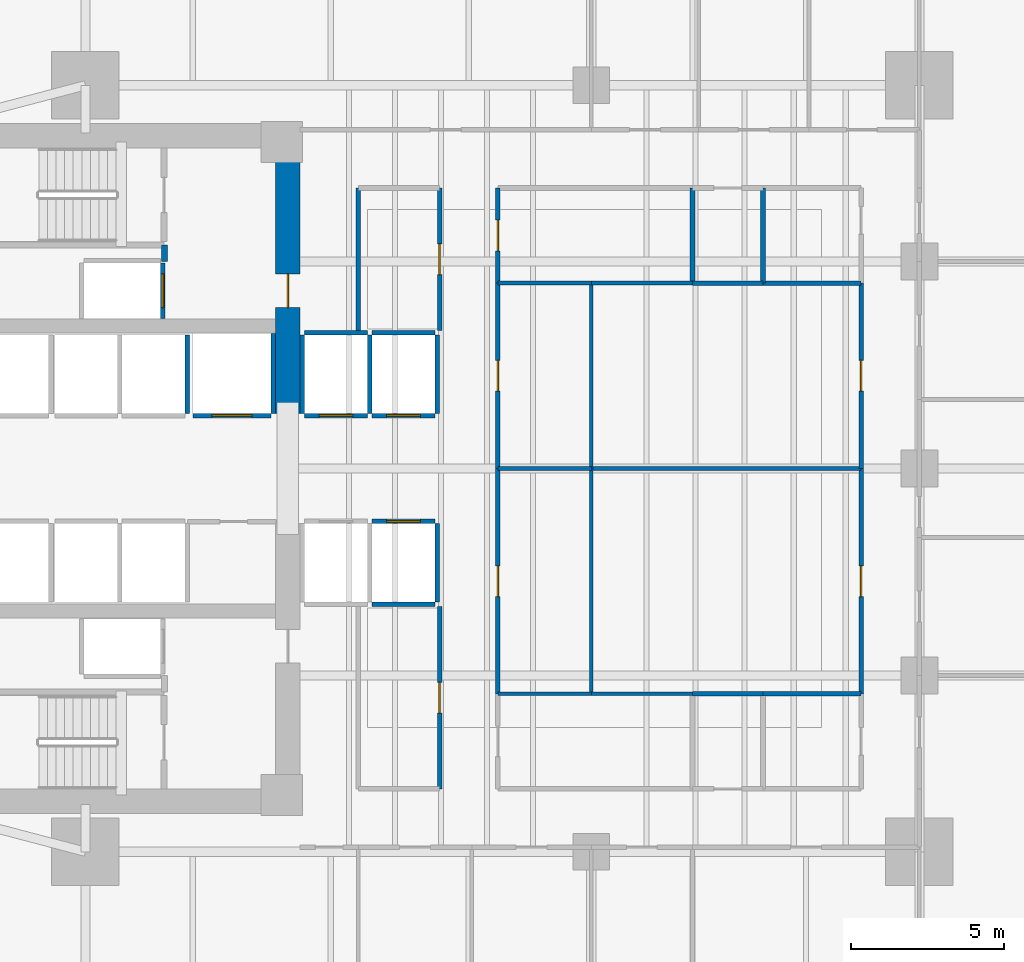
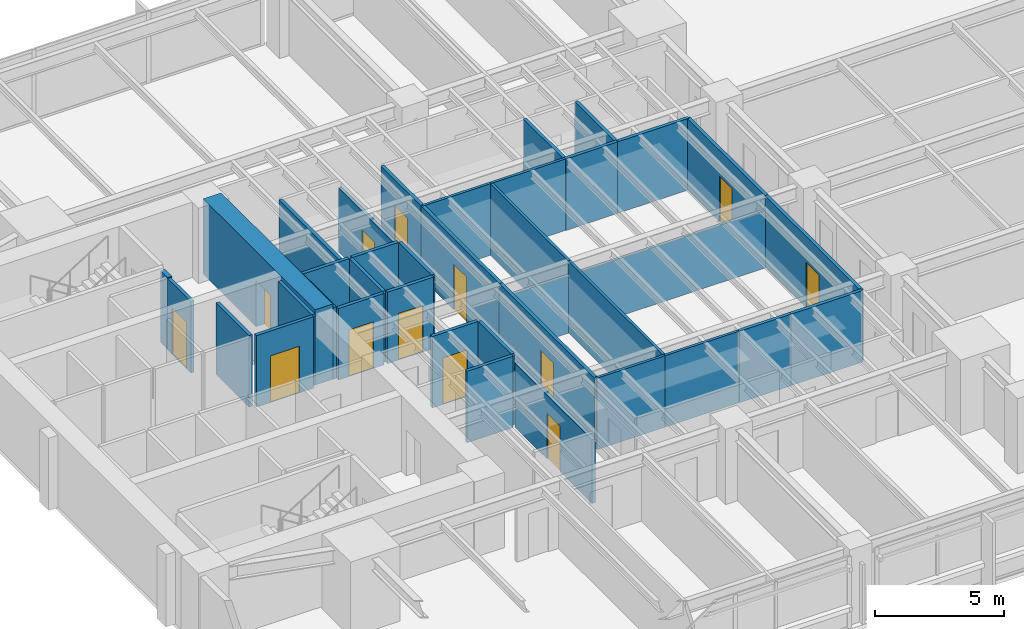
# One storey, part 9 of 16: 38 walls, 13 doors, 13 openings.
"""IFC4 building model written with IfcOpenShell, lengths in metres."""

from ifc_helpers import new_model, si_unit, direction, frame, frame_2d, origin, place, context, subcontext, project, spatial, rectangle, extrude, material, layer, layer_set, type_object, element, fill, save


model = new_model("IFC4")

# Units and contexts
model_context = context("Model", 3, precision=1e-05, world=origin(), true_north=direction((0.0, 1.0)))
body_context = subcontext(model_context, "Body", "Model", "MODEL_VIEW")
ifc_project = project(units=[si_unit("LENGTHUNIT", "METRE"), si_unit("AREAUNIT", "SQUARE_METRE"), si_unit("VOLUMEUNIT", "CUBIC_METRE"), si_unit("PLANEANGLEUNIT", "RADIAN"), si_unit("MASSUNIT", "GRAM", prefix="KILO")], contexts=[model_context])

# Site, building, storey
site_placement = place(None, origin())
site = spatial("IfcSite", under=ifc_project, at=site_placement, CompositionType="ELEMENT")
building_placement = place(site_placement, origin())
building = spatial("IfcBuilding", under=site, at=building_placement, Name="Kinhvarn Gate Tower", CompositionType="ELEMENT")
storey_placement = place(building_placement, frame((0.0, 0.0, 82.39990234375)))
storey = spatial("IfcBuildingStorey", under=building, at=storey_placement, Name="L21", CompositionType="ELEMENT", Elevation=82.39990234375)

# Wall, opening, door
ifc_material_1 = material(Name="Concrete C70/85", Category="concrete")
ifc_layer_1 = layer(ifc_material_1, 0.800048828125)
ifc_layer_set_1 = layer_set([ifc_layer_1], Name="Concrete C70/85")
wall_type_1 = type_object("IfcWallType", Name="WL-CORE-800", PredefinedType="SHEAR", material=ifc_layer_set_1)
wall_1_placement = place(storey_placement, frame((17.60009765625, 27.050048828125, 0.0), z_axis=(0.0, 0.0, 1.0), x_axis=(0.0, 1.0, 0.0)))
wall_1 = element("IfcWall", 1, at=wall_1_placement, inside=storey, type_object=wall_type_1, Name="Core East-North Shear Pier L21 800 mm", PredefinedType="SHEAR", context=body_context, shape_type="SweptSolid", body=[
    extrude(rectangle(XDim=8.64990234375, YDim=0.800048828125, at=frame_2d((4.324951171875, 0.0))), origin(), (0.0, 0.0, 1.0), 3.550048828125),
])
opening_1_placement = place(wall_1_placement, frame((3.449951171875, 0.0, 0.0)))
opening_1 = element("IfcOpeningElement", 2, at=opening_1_placement, cuts=wall_1, Name="Opening FD-02", PredefinedType="OPENING", context=body_context, shape_type="SweptSolid", body=[
    extrude(rectangle(XDim=1.10009765625, YDim=2.14990234375, at=frame_2d((0.550048828125, 1.074951171875))), frame((0.0, 0.41015625, 0.0), z_axis=(0.0, -1.0, 0.0), x_axis=(1.0, 0.0, 0.0)), (0.0, 0.0, 1.0), 0.820068359375),
])
ifc_material_2 = material(Name="Anodised aluminium AW-6063", Category="aluminium")
door_type_1 = type_object("IfcDoorType", Name="DR-FD-1100", OperationType="NOTDEFINED", PredefinedType="DOOR", material=ifc_material_2)
door_1_placement = place(opening_1_placement, origin())
door_1 = element("IfcDoor", 3, at=door_1_placement, inside=storey, type_object=door_type_1, Name="Firefighting Lobby Core Door (L21)", OperationType="SINGLE_SWING_LEFT", OverallHeight=2.14990234375, OverallWidth=1.10009765625, PredefinedType="DOOR", context=body_context, shape_type="SweptSolid", body=[
    extrude(rectangle(XDim=1.10009765625, YDim=2.14990234375, at=frame_2d((0.550048828125, 1.074951171875))), frame((0.0, 0.02490234375, 0.0), z_axis=(0.0, -1.0, 0.0), x_axis=(1.0, 0.0, 0.0)), (0.0, 0.0, 1.0), 0.050048828125),
])
fill(opening_1, door_1)

# Walls
ifc_material_3 = material(Name="Gypsum acoustic partition board")
ifc_layer_2 = layer(ifc_material_3, 0.14990234375)
ifc_layer_set_2 = layer_set([ifc_layer_2], Name="Gypsum acoustic partition board")
wall_type_2 = type_object("IfcWallType", Name="WL-PLM-150", PredefinedType="PLUMBINGWALL", material=ifc_layer_set_2)
wall_2_placement = place(storey_placement, frame((33.10009765625, 17.89990234375, 0.0), z_axis=(0.0, 0.0, 1.0), x_axis=(1.0, 0.0, 0.0)))
element("IfcWall", 4, at=wall_2_placement, inside=storey, type_object=wall_type_2, Name="Interior Partition PLW-150 (L21)", PredefinedType="PLUMBINGWALL", context=body_context, shape_type="SweptSolid", body=[
    extrude(rectangle(XDim=3.199951171875, YDim=0.14990234375, at=frame_2d((1.60009765625, 0.0))), origin(), (0.0, 0.0, 1.0), 3.3701171875),
])
wall_3_placement = place(storey_placement, frame((33.10009765625, 31.300048828125, 0.0), z_axis=(0.0, 0.0, 1.0), x_axis=(0.0, 1.0, 0.0)))
element("IfcWall", 5, at=wall_3_placement, inside=storey, type_object=wall_type_2, Name="Interior Partition PLW-150 (L21)", PredefinedType="PLUMBINGWALL", context=body_context, shape_type="SweptSolid", body=[
    extrude(rectangle(XDim=3.099853515625, YDim=0.14990234375, at=frame_2d((1.5498046875, 0.0))), origin(), (0.0, 0.0, 1.0), 3.3701171875),
])
wall_4_placement = place(storey_placement, frame((33.10009765625, 31.300048828125, 0.0), z_axis=(0.0, 0.0, 1.0), x_axis=(1.0, 0.0, 0.0)))
element("IfcWall", 6, at=wall_4_placement, inside=storey, type_object=wall_type_2, Name="Interior Partition PLW-150 (L21)", PredefinedType="PLUMBINGWALL", context=body_context, shape_type="SweptSolid", body=[
    extrude(rectangle(XDim=3.199951171875, YDim=0.14990234375, at=frame_2d((1.60009765625, 0.0))), origin(), (0.0, 0.0, 1.0), 3.3701171875),
])
wall_5_placement = place(storey_placement, frame((30.800048828125, 17.89990234375, 0.0), z_axis=(0.0, 0.0, 1.0), x_axis=(1.0, 0.0, 0.0)))
element("IfcWall", 7, at=wall_5_placement, inside=storey, type_object=wall_type_2, Name="Interior Partition PLW-150 (L21)", PredefinedType="PLUMBINGWALL", context=body_context, shape_type="SweptSolid", body=[
    extrude(rectangle(XDim=2.300048828125, YDim=0.14990234375, at=frame_2d((1.14990234375, 0.0))), origin(), (0.0, 0.0, 1.0), 3.3701171875),
])
wall_6_placement = place(storey_placement, frame((30.800048828125, 31.300048828125, 0.0), z_axis=(0.0, 0.0, 1.0), x_axis=(0.0, 1.0, 0.0)))
element("IfcWall", 8, at=wall_6_placement, inside=storey, type_object=wall_type_2, Name="Interior Partition PLW-150 (L21)", PredefinedType="PLUMBINGWALL", context=body_context, shape_type="SweptSolid", body=[
    extrude(rectangle(XDim=3.099853515625, YDim=0.14990234375, at=frame_2d((1.5498046875, 0.0))), origin(), (0.0, 0.0, 1.0), 3.3701171875),
])
wall_7_placement = place(storey_placement, frame((30.800048828125, 31.300048828125, 0.0), z_axis=(0.0, 0.0, 1.0), x_axis=(1.0, 0.0, 0.0)))
element("IfcWall", 9, at=wall_7_placement, inside=storey, type_object=wall_type_2, Name="Interior Partition PLW-150 (L21)", PredefinedType="PLUMBINGWALL", context=body_context, shape_type="SweptSolid", body=[
    extrude(rectangle(XDim=2.300048828125, YDim=0.14990234375, at=frame_2d((1.14990234375, 0.0))), origin(), (0.0, 0.0, 1.0), 3.3701171875),
])
ifc_layer_3 = layer(ifc_material_3, 0.1201171875)
ifc_layer_set_3 = layer_set([ifc_layer_3], Name="Gypsum acoustic partition board")
wall_type_3 = type_object("IfcWallType", Name="WL-PRT-120", PredefinedType="PARTITIONING", material=ifc_layer_set_3)
wall_8_placement = place(storey_placement, frame((24.449951171875, 17.89990234375, 0.0), z_axis=(0.0, 0.0, 1.0), x_axis=(1.0, 0.0, 0.0)))
element("IfcWall", 10, at=wall_8_placement, inside=storey, type_object=wall_type_3, Name="Interior Partition PW-120 (L21)", PredefinedType="PARTITIONING", context=body_context, shape_type="SweptSolid", body=[
    extrude(rectangle(XDim=3.050048828125, YDim=0.1201171875, at=frame_2d((1.52490234375, 0.0))), origin(), (0.0, 0.0, 1.0), 3.3701171875),
])
wall_9_placement = place(storey_placement, frame((27.5, 17.89990234375, 0.0), z_axis=(0.0, 0.0, 1.0), x_axis=(1.0, 0.0, 0.0)))
element("IfcWall", 11, at=wall_9_placement, inside=storey, type_object=wall_type_3, Name="Interior Partition PW-120 (L21)", PredefinedType="PARTITIONING", context=body_context, shape_type="SweptSolid", body=[
    extrude(rectangle(XDim=3.300048828125, YDim=0.1201171875, at=frame_2d((1.64990234375, 0.0))), origin(), (0.0, 0.0, 1.0), 3.3701171875),
])
wall_10_placement = place(storey_placement, frame((24.449951171875, 31.300048828125, 0.0), z_axis=(0.0, 0.0, 1.0), x_axis=(1.0, 0.0, 0.0)))
element("IfcWall", 12, at=wall_10_placement, inside=storey, type_object=wall_type_3, Name="Interior Partition PW-120 (L21)", PredefinedType="PARTITIONING", context=body_context, shape_type="SweptSolid", body=[
    extrude(rectangle(XDim=3.050048828125, YDim=0.1201171875, at=frame_2d((1.52490234375, 0.0))), origin(), (0.0, 0.0, 1.0), 3.3701171875),
])
wall_11_placement = place(storey_placement, frame((27.5, 31.300048828125, 0.0), z_axis=(0.0, 0.0, 1.0), x_axis=(1.0, 0.0, 0.0)))
element("IfcWall", 13, at=wall_11_placement, inside=storey, type_object=wall_type_3, Name="Interior Partition PW-120 (L21)", PredefinedType="PARTITIONING", context=body_context, shape_type="SweptSolid", body=[
    extrude(rectangle(XDim=3.300048828125, YDim=0.1201171875, at=frame_2d((1.64990234375, 0.0))), origin(), (0.0, 0.0, 1.0), 3.3701171875),
])
wall_12_placement = place(storey_placement, frame((27.5, 17.89990234375, 0.0), z_axis=(0.0, 0.0, 1.0), x_axis=(0.0, 1.0, 0.0)))
element("IfcWall", 14, at=wall_12_placement, inside=storey, type_object=wall_type_3, Name="Interior Partition PW-120 (L21)", PredefinedType="PARTITIONING", context=body_context, shape_type="SweptSolid", body=[
    extrude(rectangle(XDim=7.35009765625, YDim=0.1201171875, at=frame_2d((3.675048828125, 0.0))), origin(), (0.0, 0.0, 1.0), 3.3701171875),
])
wall_13_placement = place(storey_placement, frame((24.449951171875, 25.25, 0.0), z_axis=(0.0, 0.0, 1.0), x_axis=(1.0, 0.0, 0.0)))
element("IfcWall", 15, at=wall_13_placement, inside=storey, type_object=wall_type_3, Name="Interior Partition PW-120 (L21)", PredefinedType="PARTITIONING", context=body_context, shape_type="SweptSolid", body=[
    extrude(rectangle(XDim=3.050048828125, YDim=0.1201171875, at=frame_2d((1.52490234375, 0.0))), origin(), (0.0, 0.0, 1.0), 2.72021484375),
])
wall_14_placement = place(storey_placement, frame((27.5, 25.25, 0.0), z_axis=(0.0, 0.0, 1.0), x_axis=(1.0, 0.0, 0.0)))
element("IfcWall", 16, at=wall_14_placement, inside=storey, type_object=wall_type_3, Name="Interior Partition PW-120 (L21)", PredefinedType="PARTITIONING", context=body_context, shape_type="SweptSolid", body=[
    extrude(rectangle(XDim=8.800048828125, YDim=0.1201171875, at=frame_2d((4.39990234375, 0.0))), origin(), (0.0, 0.0, 1.0), 2.72021484375),
])
wall_15_placement = place(storey_placement, frame((27.5, 25.25, 0.0), z_axis=(0.0, 0.0, 1.0), x_axis=(0.0, 1.0, 0.0)))
element("IfcWall", 17, at=wall_15_placement, inside=storey, type_object=wall_type_3, Name="Interior Partition PW-120 (L21)", PredefinedType="PARTITIONING", context=body_context, shape_type="SweptSolid", body=[
    extrude(rectangle(XDim=6.050048828125, YDim=0.1201171875, at=frame_2d((3.02490234375, 0.0))), origin(), (0.0, 0.0, 1.0), 3.3701171875),
])

# Wall, opening, door
ifc_layer_4 = layer(ifc_material_3, 0.14990234375)
ifc_layer_set_4 = layer_set([ifc_layer_4], Name="Gypsum acoustic partition board")
wall_type_4 = type_object("IfcWallType", Name="WL-PRT-150F", PredefinedType="PARTITIONING", material=ifc_layer_set_4)
wall_16_placement = place(storey_placement, frame((22.550048828125, 14.800048828125, 0.0), z_axis=(0.0, 0.0, 1.0), x_axis=(0.0, 1.0, 0.0)))
wall_16 = element("IfcWall", 18, at=wall_16_placement, inside=storey, type_object=wall_type_4, Name="Interior Partition PW-150F (L21)", PredefinedType="PARTITIONING", context=body_context, shape_type="SweptSolid", body=[
    extrude(rectangle(XDim=5.949951171875, YDim=0.14990234375, at=frame_2d((2.97509765625, 0.0))), origin(), (0.0, 0.0, 1.0), 3.010009765625),
])
opening_2_placement = place(wall_16_placement, frame((2.47509765625, 0.0, 0.0)))
opening_2 = element("IfcOpeningElement", 19, at=opening_2_placement, cuts=wall_16, Name="Opening ID-02", PredefinedType="OPENING", context=body_context, shape_type="SweptSolid", body=[
    extrude(rectangle(XDim=1.0, YDim=2.14990234375, at=frame_2d((0.5, 1.074951171875))), frame((0.0, 0.0849609375, 0.0), z_axis=(0.0, -1.0, 0.0), x_axis=(1.0, 0.0, 0.0)), (0.0, 0.0, 1.0), 0.169921875),
])
door_type_2 = type_object("IfcDoorType", Name="DR-INT-1000", OperationType="NOTDEFINED", PredefinedType="DOOR", material=ifc_material_2)
door_2_placement = place(opening_2_placement, origin())
door_2 = element("IfcDoor", 20, at=door_2_placement, inside=storey, type_object=door_type_2, Name="Standard Office & Meeting Room Door 1000x2150 mm (L21)", OperationType="SINGLE_SWING_RIGHT", OverallHeight=2.14990234375, OverallWidth=1.0, PredefinedType="DOOR", context=body_context, shape_type="SweptSolid", body=[
    extrude(rectangle(XDim=1.0, YDim=2.14990234375, at=frame_2d((0.5, 1.074951171875))), frame((0.0, 0.02490234375, 0.0), z_axis=(0.0, -1.0, 0.0), x_axis=(1.0, 0.0, 0.0)), (0.0, 0.0, 1.0), 0.050048828125),
])
fill(opening_2, door_2)

wall_17_placement = place(storey_placement, frame((22.550048828125, 29.75, 0.0), z_axis=(0.0, 0.0, 1.0), x_axis=(0.0, 1.0, 0.0)))
wall_17 = element("IfcWall", 21, at=wall_17_placement, inside=storey, type_object=wall_type_4, Name="Interior Partition PW-150F (L21)", PredefinedType="PARTITIONING", context=body_context, shape_type="SweptSolid", body=[
    extrude(rectangle(XDim=4.64990234375, YDim=0.14990234375, at=frame_2d((2.324951171875, 0.0))), origin(), (0.0, 0.0, 1.0), 3.010009765625),
])
opening_3_placement = place(wall_17_placement, frame((1.824951171875, 0.0, 0.0)))
opening_3 = element("IfcOpeningElement", 22, at=opening_3_placement, cuts=wall_17, Name="Opening ID-02", PredefinedType="OPENING", context=body_context, shape_type="SweptSolid", body=[
    extrude(rectangle(XDim=1.0, YDim=2.14990234375, at=frame_2d((0.5, 1.074951171875))), frame((0.0, 0.0849609375, 0.0), z_axis=(0.0, -1.0, 0.0), x_axis=(1.0, 0.0, 0.0)), (0.0, 0.0, 1.0), 0.169921875),
])
door_3_placement = place(opening_3_placement, origin())
door_3 = element("IfcDoor", 23, at=door_3_placement, inside=storey, type_object=door_type_2, Name="Standard Office & Meeting Room Door 1000x2150 mm (L21)", OperationType="SINGLE_SWING_LEFT", OverallHeight=2.14990234375, OverallWidth=1.0, PredefinedType="DOOR", context=body_context, shape_type="SweptSolid", body=[
    extrude(rectangle(XDim=1.0, YDim=2.14990234375, at=frame_2d((0.5, 1.074951171875))), frame((0.0, 0.02490234375, 0.0), z_axis=(0.0, -1.0, 0.0), x_axis=(1.0, 0.0, 0.0)), (0.0, 0.0, 1.0), 0.050048828125),
])
fill(opening_3, door_3)

wall_18_placement = place(storey_placement, frame((24.449951171875, 31.300048828125, 0.0), z_axis=(0.0, 0.0, 1.0), x_axis=(0.0, 1.0, 0.0)))
wall_18 = element("IfcWall", 24, at=wall_18_placement, inside=storey, type_object=wall_type_4, Name="Interior Partition PW-150F (L21)", PredefinedType="PARTITIONING", context=body_context, shape_type="SweptSolid", body=[
    extrude(rectangle(XDim=3.099853515625, YDim=0.14990234375, at=frame_2d((1.5498046875, 0.0))), origin(), (0.0, 0.0, 1.0), 3.3701171875),
])
opening_4_placement = place(wall_18_placement, frame((1.050048828125, 0.0, 0.0)))
opening_4 = element("IfcOpeningElement", 25, at=opening_4_placement, cuts=wall_18, Name="Opening ID-02", PredefinedType="OPENING", context=body_context, shape_type="SweptSolid", body=[
    extrude(rectangle(XDim=1.0, YDim=2.14990234375, at=frame_2d((0.5, 1.074951171875))), frame((0.0, 0.0849609375, 0.0), z_axis=(0.0, -1.0, 0.0), x_axis=(1.0, 0.0, 0.0)), (0.0, 0.0, 1.0), 0.169921875),
])
door_4_placement = place(opening_4_placement, origin())
door_4 = element("IfcDoor", 26, at=door_4_placement, inside=storey, type_object=door_type_2, Name="Standard Office & Meeting Room Door 1000x2150 mm (L21)", OperationType="SINGLE_SWING_LEFT", OverallHeight=2.14990234375, OverallWidth=1.0, PredefinedType="DOOR", context=body_context, shape_type="SweptSolid", body=[
    extrude(rectangle(XDim=1.0, YDim=2.14990234375, at=frame_2d((0.5, 1.074951171875))), frame((0.0, 0.02490234375, 0.0), z_axis=(0.0, -1.0, 0.0), x_axis=(1.0, 0.0, 0.0)), (0.0, 0.0, 1.0), 0.050048828125),
])
fill(opening_4, door_4)

wall_19_placement = place(storey_placement, frame((24.449951171875, 17.89990234375, 0.0), z_axis=(0.0, 0.0, 1.0), x_axis=(0.0, 1.0, 0.0)))
wall_19 = element("IfcWall", 27, at=wall_19_placement, inside=storey, type_object=wall_type_4, Name="Interior Partition PW-150F (L21)", PredefinedType="PARTITIONING", context=body_context, shape_type="SweptSolid", body=[
    extrude(rectangle(XDim=7.35009765625, YDim=0.14990234375, at=frame_2d((3.675048828125, 0.0))), origin(), (0.0, 0.0, 1.0), 3.3701171875),
])
opening_5_placement = place(wall_19_placement, frame((3.175048828125, 0.0, 0.0)))
opening_5 = element("IfcOpeningElement", 28, at=opening_5_placement, cuts=wall_19, Name="Opening ID-02", PredefinedType="OPENING", context=body_context, shape_type="SweptSolid", body=[
    extrude(rectangle(XDim=1.0, YDim=2.14990234375, at=frame_2d((0.5, 1.074951171875))), frame((0.0, 0.0849609375, 0.0), z_axis=(0.0, -1.0, 0.0), x_axis=(1.0, 0.0, 0.0)), (0.0, 0.0, 1.0), 0.169921875),
])
door_5_placement = place(opening_5_placement, origin())
door_5 = element("IfcDoor", 29, at=door_5_placement, inside=storey, type_object=door_type_2, Name="Standard Office & Meeting Room Door 1000x2150 mm (L21)", OperationType="SINGLE_SWING_RIGHT", OverallHeight=2.14990234375, OverallWidth=1.0, PredefinedType="DOOR", context=body_context, shape_type="SweptSolid", body=[
    extrude(rectangle(XDim=1.0, YDim=2.14990234375, at=frame_2d((0.5, 1.074951171875))), frame((0.0, 0.02490234375, 0.0), z_axis=(0.0, -1.0, 0.0), x_axis=(1.0, 0.0, 0.0)), (0.0, 0.0, 1.0), 0.050048828125),
])
fill(opening_5, door_5)

wall_20_placement = place(storey_placement, frame((24.449951171875, 25.25, 0.0), z_axis=(0.0, 0.0, 1.0), x_axis=(0.0, 1.0, 0.0)))
wall_20 = element("IfcWall", 30, at=wall_20_placement, inside=storey, type_object=wall_type_4, Name="Interior Partition PW-150F (L21)", PredefinedType="PARTITIONING", context=body_context, shape_type="SweptSolid", body=[
    extrude(rectangle(XDim=6.050048828125, YDim=0.14990234375, at=frame_2d((3.02490234375, 0.0))), origin(), (0.0, 0.0, 1.0), 3.3701171875),
])
opening_6_placement = place(wall_20_placement, frame((2.52490234375, 0.0, 0.0)))
opening_6 = element("IfcOpeningElement", 31, at=opening_6_placement, cuts=wall_20, Name="Opening ID-02", PredefinedType="OPENING", context=body_context, shape_type="SweptSolid", body=[
    extrude(rectangle(XDim=1.0, YDim=2.14990234375, at=frame_2d((0.5, 1.074951171875))), frame((0.0, 0.0849609375, 0.0), z_axis=(0.0, -1.0, 0.0), x_axis=(1.0, 0.0, 0.0)), (0.0, 0.0, 1.0), 0.169921875),
])
door_6_placement = place(opening_6_placement, origin())
door_6 = element("IfcDoor", 32, at=door_6_placement, inside=storey, type_object=door_type_2, Name="Standard Office & Meeting Room Door 1000x2150 mm (L21)", OperationType="SINGLE_SWING_LEFT", OverallHeight=2.14990234375, OverallWidth=1.0, PredefinedType="DOOR", context=body_context, shape_type="SweptSolid", body=[
    extrude(rectangle(XDim=1.0, YDim=2.14990234375, at=frame_2d((0.5, 1.074951171875))), frame((0.0, 0.02490234375, 0.0), z_axis=(0.0, -1.0, 0.0), x_axis=(1.0, 0.0, 0.0)), (0.0, 0.0, 1.0), 0.050048828125),
])
fill(opening_6, door_6)

# Wall
wall_21_placement = place(storey_placement, frame((19.89990234375, 29.75, 0.0), z_axis=(0.0, 0.0, 1.0), x_axis=(0.0, 1.0, 0.0)))
element("IfcWall", 33, at=wall_21_placement, inside=storey, type_object=wall_type_4, Name="Interior Partition PW-150F (L21)", PredefinedType="PARTITIONING", context=body_context, shape_type="SweptSolid", body=[
    extrude(rectangle(XDim=4.64990234375, YDim=0.14990234375, at=frame_2d((2.324951171875, 0.0))), origin(), (0.0, 0.0, 1.0), 3.3701171875),
])

# Wall, opening, door
wall_22_placement = place(storey_placement, frame((36.300048828125, 17.89990234375, 0.0), z_axis=(0.0, 0.0, 1.0), x_axis=(0.0, 1.0, 0.0)))
wall_22 = element("IfcWall", 34, at=wall_22_placement, inside=storey, type_object=wall_type_4, Name="Interior Partition PW-150F (L21)", PredefinedType="PARTITIONING", context=body_context, shape_type="SweptSolid", body=[
    extrude(rectangle(XDim=7.35009765625, YDim=0.14990234375, at=frame_2d((3.675048828125, 0.0))), origin(), (0.0, 0.0, 1.0), 3.3701171875),
])
opening_7_placement = place(wall_22_placement, frame((3.175048828125, 0.0, 0.0)))
opening_7 = element("IfcOpeningElement", 35, at=opening_7_placement, cuts=wall_22, Name="Opening ID-02", PredefinedType="OPENING", context=body_context, shape_type="SweptSolid", body=[
    extrude(rectangle(XDim=1.0, YDim=2.14990234375, at=frame_2d((0.5, 1.074951171875))), frame((0.0, 0.0849609375, 0.0), z_axis=(0.0, -1.0, 0.0), x_axis=(1.0, 0.0, 0.0)), (0.0, 0.0, 1.0), 0.169921875),
])
door_7_placement = place(opening_7_placement, origin())
door_7 = element("IfcDoor", 36, at=door_7_placement, inside=storey, type_object=door_type_2, Name="Standard Office & Meeting Room Door 1000x2150 mm (L21)", OperationType="SINGLE_SWING_LEFT", OverallHeight=2.14990234375, OverallWidth=1.0, PredefinedType="DOOR", context=body_context, shape_type="SweptSolid", body=[
    extrude(rectangle(XDim=1.0, YDim=2.14990234375, at=frame_2d((0.5, 1.074951171875))), frame((0.0, 0.02490234375, 0.0), z_axis=(0.0, -1.0, 0.0), x_axis=(1.0, 0.0, 0.0)), (0.0, 0.0, 1.0), 0.050048828125),
])
fill(opening_7, door_7)

wall_23_placement = place(storey_placement, frame((36.300048828125, 25.25, 0.0), z_axis=(0.0, 0.0, 1.0), x_axis=(0.0, 1.0, 0.0)))
wall_23 = element("IfcWall", 37, at=wall_23_placement, inside=storey, type_object=wall_type_4, Name="Interior Partition PW-150F (L21)", PredefinedType="PARTITIONING", context=body_context, shape_type="SweptSolid", body=[
    extrude(rectangle(XDim=6.050048828125, YDim=0.14990234375, at=frame_2d((3.02490234375, 0.0))), origin(), (0.0, 0.0, 1.0), 3.3701171875),
])
opening_8_placement = place(wall_23_placement, frame((2.52490234375, 0.0, 0.0)))
opening_8 = element("IfcOpeningElement", 38, at=opening_8_placement, cuts=wall_23, Name="Opening ID-02", PredefinedType="OPENING", context=body_context, shape_type="SweptSolid", body=[
    extrude(rectangle(XDim=1.0, YDim=2.14990234375, at=frame_2d((0.5, 1.074951171875))), frame((0.0, 0.0849609375, 0.0), z_axis=(0.0, -1.0, 0.0), x_axis=(1.0, 0.0, 0.0)), (0.0, 0.0, 1.0), 0.169921875),
])
door_8_placement = place(opening_8_placement, origin())
door_8 = element("IfcDoor", 39, at=door_8_placement, inside=storey, type_object=door_type_2, Name="Standard Office & Meeting Room Door 1000x2150 mm (L21)", OperationType="SINGLE_SWING_RIGHT", OverallHeight=2.14990234375, OverallWidth=1.0, PredefinedType="DOOR", context=body_context, shape_type="SweptSolid", body=[
    extrude(rectangle(XDim=1.0, YDim=2.14990234375, at=frame_2d((0.5, 1.074951171875))), frame((0.0, 0.02490234375, 0.0), z_axis=(0.0, -1.0, 0.0), x_axis=(1.0, 0.0, 0.0)), (0.0, 0.0, 1.0), 0.050048828125),
])
fill(opening_8, door_8)

# Walls
ifc_layer_5 = layer(ifc_material_3, 0.199951171875)
ifc_layer_set_5 = layer_set([ifc_layer_5], Name="Gypsum acoustic partition board")
wall_type_5 = type_object("IfcWallType", Name="WL-PRT-200", PredefinedType="PARTITIONING", material=ifc_layer_set_5)
wall_24_placement = place(storey_placement, frame((13.580078125, 32.0, 0.0), z_axis=(0.0, 0.0, 1.0), x_axis=(0.0, 1.0, 0.0)))
element("IfcWall", 40, at=wall_24_placement, inside=storey, type_object=wall_type_5, Name="Interior Partition PW-200 (L21)", PredefinedType="PARTITIONING", context=body_context, shape_type="SweptSolid", body=[
    extrude(rectangle(XDim=0.5400390625, YDim=0.199951171875, at=frame_2d((0.27001953125, 0.0))), origin(), (0.0, 0.0, 1.0), 3.3701171875),
])
ifc_layer_6 = layer(ifc_material_3, 0.14990234375)
ifc_layer_set_6 = layer_set([ifc_layer_6], Name="Gypsum acoustic partition board")
wall_type_6 = type_object("IfcWallType", Name="WL-SHF-150", PredefinedType="PARTITIONING", material=ifc_layer_set_6)
wall_25_placement = place(storey_placement, frame((20.35009765625, 20.824951171875, 0.0), z_axis=(0.0, 0.0, 1.0), x_axis=(1.0, 0.0, 0.0)))
element("IfcWall", 41, at=wall_25_placement, inside=storey, type_object=wall_type_6, Name="Elevator PL-02 Hoistway Wall S (L21)", PredefinedType="PARTITIONING", context=body_context, shape_type="SweptSolid", body=[
    extrude(rectangle(XDim=2.0498046875, YDim=0.14990234375, at=frame_2d((1.02490234375, 0.0))), origin(), (0.0, 0.0, 1.0), 3.3701171875),
])

# Wall, opening, door
wall_26_placement = place(storey_placement, frame((20.35009765625, 23.52490234375, 0.0), z_axis=(0.0, 0.0, 1.0), x_axis=(1.0, 0.0, 0.0)))
wall_26 = element("IfcWall", 42, at=wall_26_placement, inside=storey, type_object=wall_type_6, Name="Elevator PL-02 Landing Wall (L21)", PredefinedType="PARTITIONING", context=body_context, shape_type="SweptSolid", body=[
    extrude(rectangle(XDim=2.0498046875, YDim=0.14990234375, at=frame_2d((1.02490234375, 0.0))), origin(), (0.0, 0.0, 1.0), 3.3701171875),
])
opening_9_placement = place(wall_26_placement, frame((0.47509765625, 0.0, 0.0)))
opening_9 = element("IfcOpeningElement", 43, at=opening_9_placement, cuts=wall_26, Name="Opening LD-01", PredefinedType="OPENING", context=body_context, shape_type="SweptSolid", body=[
    extrude(rectangle(XDim=1.10009765625, YDim=2.199951171875, at=frame_2d((0.550048828125, 1.10009765625))), frame((0.0, 0.0849609375, 0.0), z_axis=(0.0, -1.0, 0.0), x_axis=(1.0, 0.0, 0.0)), (0.0, 0.0, 1.0), 0.169921875),
])
door_type_3 = type_object("IfcDoorType", Name="DR-LND-PAS", OperationType="NOTDEFINED", PredefinedType="DOOR", material=ifc_material_2)
door_9_placement = place(opening_9_placement, origin())
door_9 = element("IfcDoor", 44, at=door_9_placement, inside=storey, type_object=door_type_3, Name="Elevator PL-02 Sliding Landing Door (L21)", OperationType="DOUBLE_DOOR_SLIDING", OverallHeight=2.199951171875, OverallWidth=1.10009765625, PredefinedType="DOOR", context=body_context, shape_type="SweptSolid", body=[
    extrude(rectangle(XDim=1.10009765625, YDim=2.199951171875, at=frame_2d((0.550048828125, 1.10009765625))), frame((0.0, 0.02490234375, 0.0), z_axis=(0.0, -1.0, 0.0), x_axis=(1.0, 0.0, 0.0)), (0.0, 0.0, 1.0), 0.050048828125),
])
fill(opening_9, door_9)

# Wall
wall_27_placement = place(storey_placement, frame((22.47509765625, 20.89990234375, 0.0), z_axis=(0.0, 0.0, 1.0), x_axis=(0.0, 1.0, 0.0)))
element("IfcWall", 45, at=wall_27_placement, inside=storey, type_object=wall_type_6, Name="Elevator PL-02 Hoistway Wall E (L21)", PredefinedType="PARTITIONING", context=body_context, shape_type="SweptSolid", body=[
    extrude(rectangle(XDim=2.550048828125, YDim=0.14990234375, at=frame_2d((1.27490234375, 0.0))), origin(), (0.0, 0.0, 1.0), 3.3701171875),
])

# Wall, opening, door
wall_28_placement = place(storey_placement, frame((18.14990234375, 26.97509765625, 0.0), z_axis=(0.0, 0.0, 1.0), x_axis=(1.0, 0.0, 0.0)))
wall_28 = element("IfcWall", 46, at=wall_28_placement, inside=storey, type_object=wall_type_6, Name="Elevator PL-03 Landing Wall (L21)", PredefinedType="PARTITIONING", context=body_context, shape_type="SweptSolid", body=[
    extrude(rectangle(XDim=2.050048828125, YDim=0.14990234375, at=frame_2d((1.02490234375, 0.0))), origin(), (0.0, 0.0, 1.0), 3.3701171875),
])
opening_10_placement = place(wall_28_placement, frame((0.47509765625, 0.0, 0.0)))
opening_10 = element("IfcOpeningElement", 47, at=opening_10_placement, cuts=wall_28, Name="Opening LD-01", PredefinedType="OPENING", context=body_context, shape_type="SweptSolid", body=[
    extrude(rectangle(XDim=1.10009765625, YDim=2.199951171875, at=frame_2d((0.550048828125, 1.10009765625))), frame((0.0, 0.0849609375, 0.0), z_axis=(0.0, -1.0, 0.0), x_axis=(1.0, 0.0, 0.0)), (0.0, 0.0, 1.0), 0.169921875),
])
door_10_placement = place(opening_10_placement, origin())
door_10 = element("IfcDoor", 48, at=door_10_placement, inside=storey, type_object=door_type_3, Name="Elevator PL-03 Sliding Landing Door (L21)", OperationType="DOUBLE_DOOR_SLIDING", OverallHeight=2.199951171875, OverallWidth=1.10009765625, PredefinedType="DOOR", context=body_context, shape_type="SweptSolid", body=[
    extrude(rectangle(XDim=1.10009765625, YDim=2.199951171875, at=frame_2d((0.550048828125, 1.10009765625))), frame((0.0, 0.02490234375, 0.0), z_axis=(0.0, -1.0, 0.0), x_axis=(1.0, 0.0, 0.0)), (0.0, 0.0, 1.0), 0.050048828125),
])
fill(opening_10, door_10)

# Walls
wall_29_placement = place(storey_placement, frame((18.14990234375, 29.675048828125, 0.0), z_axis=(0.0, 0.0, 1.0), x_axis=(1.0, 0.0, 0.0)))
element("IfcWall", 49, at=wall_29_placement, inside=storey, type_object=wall_type_6, Name="Elevator PL-03 Hoistway Wall N (L21)", PredefinedType="PARTITIONING", context=body_context, shape_type="SweptSolid", body=[
    extrude(rectangle(XDim=2.050048828125, YDim=0.14990234375, at=frame_2d((1.02490234375, 0.0))), origin(), (0.0, 0.0, 1.0), 3.3701171875),
])
for number, where, z_axis, x_axis, name in (
    (50, (18.074951171875, 27.050048828125, 0.0), (0.0, 0.0, 1.0), (0.0, 1.0, 0.0), "Elevator PL-03 Hoistway Wall W (L21)"),
    (51, (20.27490234375, 27.050048828125, 0.0), (0.0, 0.0, 1.0), (0.0, 1.0, 0.0), "Elevator PL-03 Hoistway Wall E (L21)"),
):
    element("IfcWall", number, at=place(storey_placement, frame(where, z_axis=z_axis, x_axis=x_axis)), inside=storey, type_object=wall_type_6, Name=name, PredefinedType="PARTITIONING", context=body_context, shape_type="SweptSolid", body=[
        extrude(rectangle(XDim=2.550048828125, YDim=0.14990234375, at=frame_2d((1.27490234375, 0.0))), origin(), (0.0, 0.0, 1.0), 3.3701171875),
    ])

# Wall, opening, door
wall_30_placement = place(storey_placement, frame((20.35009765625, 26.97509765625, 0.0), z_axis=(0.0, 0.0, 1.0), x_axis=(1.0, 0.0, 0.0)))
wall_30 = element("IfcWall", 52, at=wall_30_placement, inside=storey, type_object=wall_type_6, Name="Elevator PL-04 Landing Wall (L21)", PredefinedType="PARTITIONING", context=body_context, shape_type="SweptSolid", body=[
    extrude(rectangle(XDim=2.0498046875, YDim=0.14990234375, at=frame_2d((1.02490234375, 0.0))), origin(), (0.0, 0.0, 1.0), 3.3701171875),
])
opening_11_placement = place(wall_30_placement, frame((0.47509765625, 0.0, 0.0)))
opening_11 = element("IfcOpeningElement", 53, at=opening_11_placement, cuts=wall_30, Name="Opening LD-01", PredefinedType="OPENING", context=body_context, shape_type="SweptSolid", body=[
    extrude(rectangle(XDim=1.10009765625, YDim=2.199951171875, at=frame_2d((0.550048828125, 1.10009765625))), frame((0.0, 0.0849609375, 0.0), z_axis=(0.0, -1.0, 0.0), x_axis=(1.0, 0.0, 0.0)), (0.0, 0.0, 1.0), 0.169921875),
])
door_11_placement = place(opening_11_placement, origin())
door_11 = element("IfcDoor", 54, at=door_11_placement, inside=storey, type_object=door_type_3, Name="Elevator PL-04 Sliding Landing Door (L21)", OperationType="DOUBLE_DOOR_SLIDING", OverallHeight=2.199951171875, OverallWidth=1.10009765625, PredefinedType="DOOR", context=body_context, shape_type="SweptSolid", body=[
    extrude(rectangle(XDim=1.10009765625, YDim=2.199951171875, at=frame_2d((0.550048828125, 1.10009765625))), frame((0.0, 0.02490234375, 0.0), z_axis=(0.0, -1.0, 0.0), x_axis=(1.0, 0.0, 0.0)), (0.0, 0.0, 1.0), 0.050048828125),
])
fill(opening_11, door_11)

# Walls
wall_31_placement = place(storey_placement, frame((20.35009765625, 29.675048828125, 0.0), z_axis=(0.0, 0.0, 1.0), x_axis=(1.0, 0.0, 0.0)))
element("IfcWall", 55, at=wall_31_placement, inside=storey, type_object=wall_type_6, Name="Elevator PL-04 Hoistway Wall N (L21)", PredefinedType="PARTITIONING", context=body_context, shape_type="SweptSolid", body=[
    extrude(rectangle(XDim=2.0498046875, YDim=0.14990234375, at=frame_2d((1.02490234375, 0.0))), origin(), (0.0, 0.0, 1.0), 3.3701171875),
])
for number, where, z_axis, x_axis, name in (
    (56, (22.47509765625, 27.050048828125, 0.0), (0.0, 0.0, 1.0), (0.0, 1.0, 0.0), "Elevator PL-04 Hoistway Wall E (L21)"),
    (57, (14.324951171875, 27.050048828125, 0.0), (0.0, 0.0, 1.0), (0.0, 1.0, 0.0), "Elevator PH-12 Hoistway Wall E (L21)"),
):
    element("IfcWall", number, at=place(storey_placement, frame(where, z_axis=z_axis, x_axis=x_axis)), inside=storey, type_object=wall_type_6, Name=name, PredefinedType="PARTITIONING", context=body_context, shape_type="SweptSolid", body=[
        extrude(rectangle(XDim=2.550048828125, YDim=0.14990234375, at=frame_2d((1.27490234375, 0.0))), origin(), (0.0, 0.0, 1.0), 3.3701171875),
    ])

# Wall, opening, door
wall_32_placement = place(storey_placement, frame((14.5, 26.97509765625, 0.0), z_axis=(0.0, 0.0, 1.0), x_axis=(1.0, 0.0, 0.0)))
wall_32 = element("IfcWall", 58, at=wall_32_placement, inside=storey, type_object=wall_type_6, Name="Elevator SV-01 Landing Wall (L21)", PredefinedType="PARTITIONING", context=body_context, shape_type="SweptSolid", body=[
    extrude(rectangle(XDim=2.550048828125, YDim=0.14990234375, at=frame_2d((1.27490234375, 0.0))), origin(), (0.0, 0.0, 1.0), 3.3701171875),
])
opening_12_placement = place(wall_32_placement, frame((0.625, 0.0, 0.0)))
opening_12 = element("IfcOpeningElement", 59, at=opening_12_placement, cuts=wall_32, Name="Opening LD-02", PredefinedType="OPENING", context=body_context, shape_type="SweptSolid", body=[
    extrude(rectangle(XDim=1.300048828125, YDim=2.199951171875, at=frame_2d((0.64990234375, 1.10009765625))), frame((0.0, 0.0849609375, 0.0), z_axis=(0.0, -1.0, 0.0), x_axis=(1.0, 0.0, 0.0)), (0.0, 0.0, 1.0), 0.169921875),
])
door_type_4 = type_object("IfcDoorType", Name="DR-LND-SRV", OperationType="NOTDEFINED", PredefinedType="DOOR", material=ifc_material_2)
door_12_placement = place(opening_12_placement, origin())
door_12 = element("IfcDoor", 60, at=door_12_placement, inside=storey, type_object=door_type_4, Name="Elevator SV-01 Sliding Landing Door (L21)", OperationType="DOUBLE_DOOR_SLIDING", OverallHeight=2.199951171875, OverallWidth=1.300048828125, PredefinedType="DOOR", context=body_context, shape_type="SweptSolid", body=[
    extrude(rectangle(XDim=1.300048828125, YDim=2.199951171875, at=frame_2d((0.64990234375, 1.10009765625))), frame((0.0, 0.02490234375, 0.0), z_axis=(0.0, -1.0, 0.0), x_axis=(1.0, 0.0, 0.0)), (0.0, 0.0, 1.0), 0.050048828125),
])
fill(opening_12, door_12)

# Wall
wall_33_placement = place(storey_placement, frame((17.125, 27.050048828125, 0.0), z_axis=(0.0, 0.0, 1.0), x_axis=(0.0, 1.0, 0.0)))
element("IfcWall", 61, at=wall_33_placement, inside=storey, type_object=wall_type_6, Name="Elevator SV-01 Hoistway Wall E (L21)", PredefinedType="PARTITIONING", context=body_context, shape_type="SweptSolid", body=[
    extrude(rectangle(XDim=2.599853515625, YDim=0.14990234375, at=frame_2d((1.2998046875, 0.0))), origin(), (0.0, 0.0, 1.0), 3.3701171875),
])

# Wall, opening, door
wall_34_placement = place(storey_placement, frame((13.52490234375, 30.14990234375, 0.0), z_axis=(0.0, 0.0, 1.0), x_axis=(0.0, 1.0, 0.0)))
wall_34 = element("IfcWall", 62, at=wall_34_placement, inside=storey, type_object=wall_type_6, Name="Elevator FF2 Landing Wall (L21)", PredefinedType="PARTITIONING", context=body_context, shape_type="SweptSolid", body=[
    extrude(rectangle(XDim=1.800048828125, YDim=0.14990234375, at=frame_2d((0.89990234375, 0.0))), origin(), (0.0, 0.0, 1.0), 3.3701171875),
])
opening_13_placement = place(wall_34_placement, frame((0.35009765625, 0.0, 0.0)))
opening_13 = element("IfcOpeningElement", 63, at=opening_13_placement, cuts=wall_34, Name="Opening LD-03", PredefinedType="OPENING", context=body_context, shape_type="SweptSolid", body=[
    extrude(rectangle(XDim=1.10009765625, YDim=2.199951171875, at=frame_2d((0.550048828125, 1.10009765625))), frame((0.0, 0.0849609375, 0.0), z_axis=(0.0, -1.0, 0.0), x_axis=(1.0, 0.0, 0.0)), (0.0, 0.0, 1.0), 0.169921875),
])
door_type_5 = type_object("IfcDoorType", Name="DR-LND-FF", OperationType="NOTDEFINED", PredefinedType="DOOR", material=ifc_material_2)
door_13_placement = place(opening_13_placement, origin())
door_13 = element("IfcDoor", 64, at=door_13_placement, inside=storey, type_object=door_type_5, Name="Elevator FF2 Sliding Landing Door (L21)", OperationType="DOUBLE_DOOR_SLIDING", OverallHeight=2.199951171875, OverallWidth=1.10009765625, PredefinedType="DOOR", context=body_context, shape_type="SweptSolid", body=[
    extrude(rectangle(XDim=1.10009765625, YDim=2.199951171875, at=frame_2d((0.550048828125, 1.10009765625))), frame((0.0, 0.02490234375, 0.0), z_axis=(0.0, -1.0, 0.0), x_axis=(1.0, 0.0, 0.0)), (0.0, 0.0, 1.0), 0.050048828125),
])
fill(opening_13, door_13)

save(model, "model.ifc")
